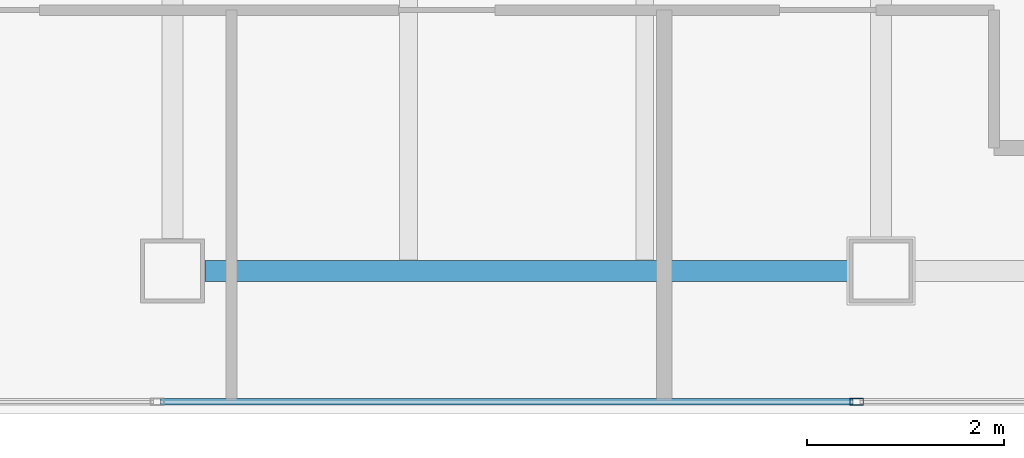
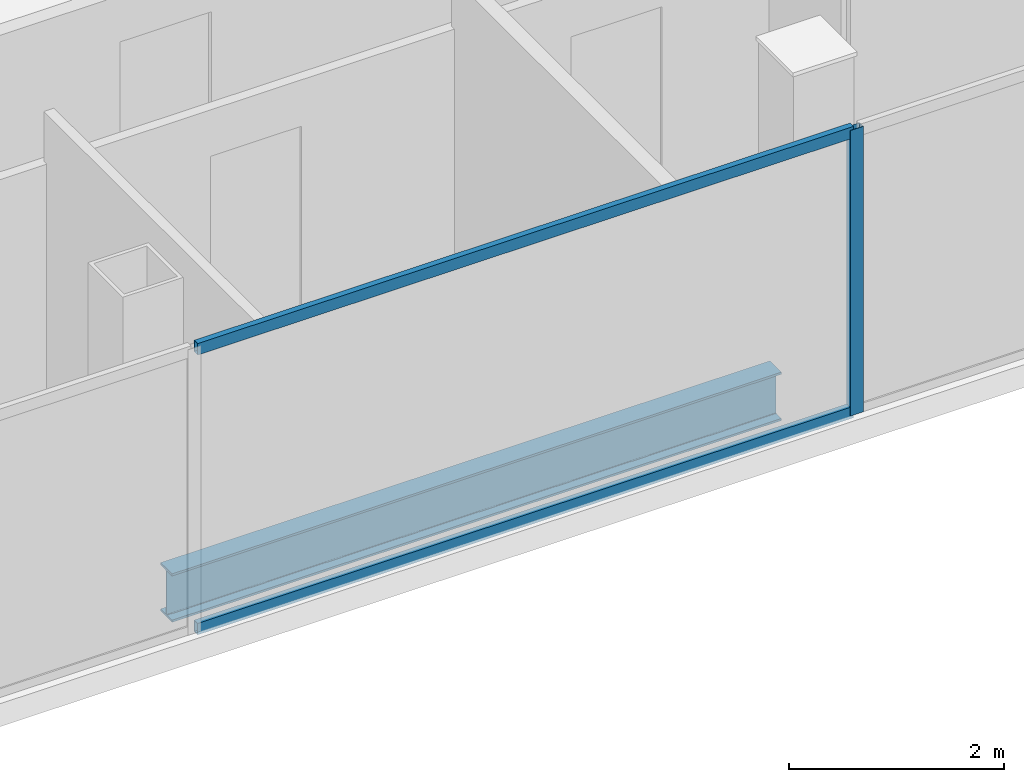
# One storey, part 6 of 24: 3 members, 1 beam, 1 element without a shape of its own.
"""IFC4 building model written with IfcOpenShell, lengths in metres."""

from ifc_helpers import new_model, si_unit, direction, frame, origin, origin_2d, place, context, subcontext, project, spatial, hollow_rectangle, i_section, extrude, material, material_profile, profile_set, type_object, element, aggregate, save


model = new_model("IFC4")

# Units and contexts
model_context = context("Model", 3, precision=1e-05, world=origin(), true_north=direction((0.0, 1.0)))
body_context = subcontext(model_context, "Body", "Model", "MODEL_VIEW")
ifc_project = project(units=[si_unit("LENGTHUNIT", "METRE"), si_unit("AREAUNIT", "SQUARE_METRE"), si_unit("VOLUMEUNIT", "CUBIC_METRE"), si_unit("PLANEANGLEUNIT", "RADIAN"), si_unit("MASSUNIT", "GRAM", prefix="KILO")], contexts=[model_context])

# Site, building, storey
site_placement = place(None, origin())
site = spatial("IfcSite", under=ifc_project, at=site_placement, CompositionType="ELEMENT")
building_placement = place(site_placement, origin())
building = spatial("IfcBuilding", under=site, at=building_placement, Name="Cobrela Telecom Tower", CompositionType="ELEMENT")
storey_placement = place(building_placement, frame((0.0, 0.0, 290.14990234375)))
storey = spatial("IfcBuildingStorey", under=building, at=storey_placement, Name="L76", CompositionType="ELEMENT", Elevation=290.14990234375)

# Beam
ifc_material_1 = material(Name="Steel ASTM A992 Grade 50", Category="steel")
ifc_material_profile_1 = material_profile(ifc_material_1, i_section(OverallWidth=0.212890625, OverallDepth=0.549072265625, WebThickness=0.0146484375, FlangeThickness=0.023681640625, FilletRadius=0.013916015625, at=origin_2d()), Name="W21X93")
ifc_profile_set_1 = profile_set([ifc_material_profile_1], Name="Steel ASTM A992 Grade 50")
beam_type = type_object("IfcBeamType", Name="BM-GIRD-08", PredefinedType="USERDEFINED", material=ifc_profile_set_1)
beam_placement = place(storey_placement, frame((21.929931640625, 7.85009765625, -0.534423828125), z_axis=(1.0, 0.0, 0.0), x_axis=(0.0, 1.0, 0.0)))
element("IfcBeam", 1, at=beam_placement, inside=storey, type_object=beam_type, Name="L76 Primary Girder X03", ObjectType="GIRDER", PredefinedType="USERDEFINED", context=body_context, shape_type="SweptSolid", body=[
    extrude(i_section(OverallWidth=0.212890625, OverallDepth=0.549072265625, WebThickness=0.0146484375, FlangeThickness=0.023681640625, FilletRadius=0.013916015625, at=origin_2d()), origin(), (0.0, 0.0, 1.0), 6.5400390625),
])

# Curtain wall, members
ifc_material_2 = material(Name="Anodized Bronze Aluminium 6063-T6", Category="aluminium")
curtain_wall_type = type_object("IfcCurtainWallType", Name="CW-SYS-OFF-HI", PredefinedType="USERDEFINED", material=ifc_material_2)
curtain_wall_placement = place(storey_placement, origin())
curtain_wall = element("IfcCurtainWall", 2, at=curtain_wall_placement, inside=storey, type_object=curtain_wall_type, Name="L76 Unitised Bronze Curtain Wall 15", ObjectType="UNITISED CURTAIN WALL", PredefinedType="USERDEFINED")
ifc_material_profile_2 = material_profile(ifc_material_2, hollow_rectangle(XDim=0.070068359375, YDim=0.139892578125, WallThickness=0.00390625, at=origin_2d()), Name="ALU 70x140x4")
ifc_profile_set_2 = profile_set([ifc_material_profile_2], Name="Anodized Bronze Aluminium 6063-T6")
member_type_1 = type_object("IfcMemberType", Name="CW-SYS-OFF-HI-MUL", PredefinedType="MULLION", material=ifc_profile_set_2)
member_1_placement = place(storey_placement, frame((28.55322265625, 6.52001953125, 0.0), z_axis=(0.0, 0.0, 1.0), x_axis=(0.0, -1.0, 0.0)))
member_1 = element("IfcMember", 3, at=member_1_placement, type_object=member_type_1, Name="CW-OFF-HI mullion 3", PredefinedType="MULLION", context=body_context, shape_type="SweptSolid", body=[
    extrude(hollow_rectangle(XDim=0.070068359375, YDim=0.139892578125, WallThickness=0.00390625, at=origin_2d()), origin(), (0.0, 0.0, 1.0), 3.239990234375),
])
ifc_material_profile_3 = material_profile(ifc_material_2, hollow_rectangle(XDim=0.06494140625, YDim=0.1298828125, WallThickness=0.00390625, at=origin_2d()), Name="ALU 65x130x4")
ifc_profile_set_3 = profile_set([ifc_material_profile_3], Name="Anodized Bronze Aluminium 6063-T6")
member_type_2 = type_object("IfcMemberType", Name="CW-SYS-OFF-HI-TRN", PredefinedType="USERDEFINED", material=ifc_profile_set_3)
member_2_placement = place(storey_placement, frame((28.518310546875, 6.52001953125, 0.03271484375), z_axis=(-1.0, 0.0, 0.0), x_axis=(0.0, -1.0, 0.0)))
member_2 = element("IfcMember", 4, at=member_2_placement, type_object=member_type_2, Name="CW-OFF-HI transom 3.1", ObjectType="TRANSOM", PredefinedType="USERDEFINED", context=body_context, shape_type="SweptSolid", body=[
    extrude(hollow_rectangle(XDim=0.06494140625, YDim=0.1298828125, WallThickness=0.00390625, at=origin_2d()), origin(), (0.0, 0.0, 1.0), 7.038330078125),
])
member_3_placement = place(storey_placement, frame((28.518310546875, 6.52001953125, 3.20751953125), z_axis=(-1.0, 0.0, 0.0), x_axis=(0.0, -1.0, 0.0)))
member_3 = element("IfcMember", 5, at=member_3_placement, type_object=member_type_2, Name="CW-OFF-HI transom 3.2", ObjectType="TRANSOM", PredefinedType="USERDEFINED", context=body_context, shape_type="SweptSolid", body=[
    extrude(hollow_rectangle(XDim=0.06494140625, YDim=0.1298828125, WallThickness=0.00390625, at=origin_2d()), origin(), (0.0, 0.0, 1.0), 7.038330078125),
])
aggregate(curtain_wall, [member_1, member_2, member_3])

save(model, "model.ifc")
